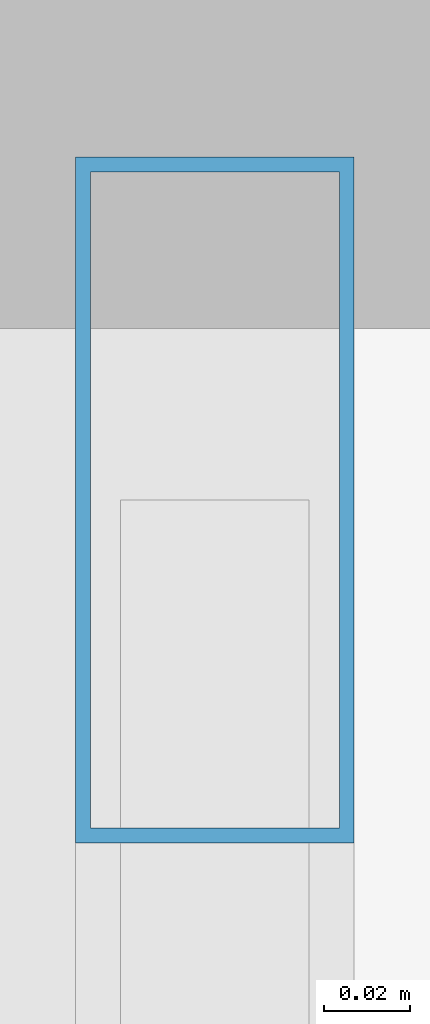
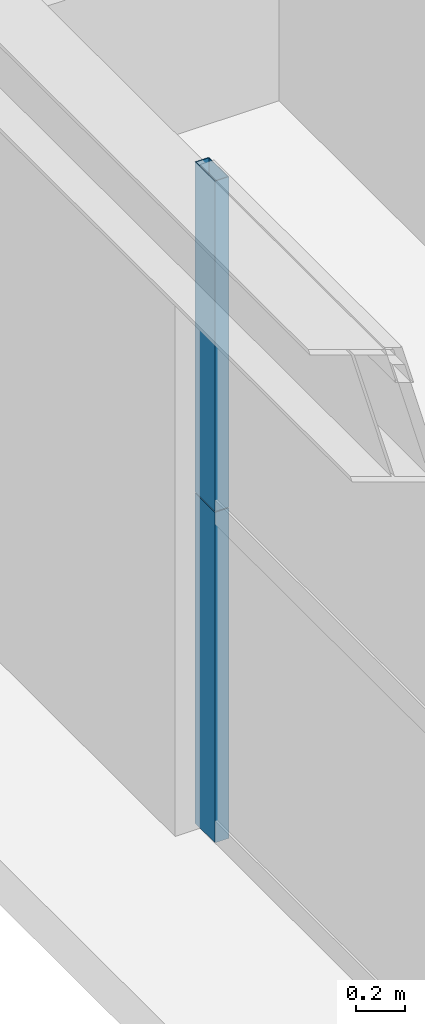
# One storey, part 20 of 34: 2 members, 1 element without a shape of its own.
"""IFC4 building model written with IfcOpenShell, lengths in metres."""

from ifc_helpers import new_model, si_unit, direction, frame, origin, origin_2d, place, context, subcontext, project, spatial, hollow_rectangle, extrude, source, transform, mapped, material, layer, layer_set, material_profile, profile_set, type_object, element, aggregate, save


model = new_model("IFC4")

# Units and contexts
model_context = context("Model", 3, precision=1e-05, world=origin(), true_north=direction((0.0, 1.0)))
body_context = subcontext(model_context, "Body", "Model", "MODEL_VIEW")
ifc_project = project(units=[si_unit("LENGTHUNIT", "METRE"), si_unit("AREAUNIT", "SQUARE_METRE"), si_unit("VOLUMEUNIT", "CUBIC_METRE"), si_unit("PLANEANGLEUNIT", "RADIAN"), si_unit("MASSUNIT", "GRAM", prefix="KILO"), si_unit("THERMODYNAMICTEMPERATUREUNIT", "KELVIN"), si_unit("POWERUNIT", "WATT")], contexts=[model_context])

# Site, building, storey
site_placement = place(None, origin())
site = spatial("IfcSite", under=ifc_project, at=site_placement, CompositionType="ELEMENT")
building_placement = place(site_placement, origin())
building = spatial("IfcBuilding", under=site, at=building_placement, Name="Yuzanri Waterfront Tower", CompositionType="ELEMENT")
storey_placement = place(building_placement, frame((0.0, 0.0, 241.60009765625)))
storey = spatial("IfcBuildingStorey", under=building, at=storey_placement, Name="L64", CompositionType="ELEMENT", Elevation=241.60009765625)

# Curtain wall, members
ifc_material_1 = material(Name="Anodized Architectural Bronze", Category="metal")
ifc_layer = layer(ifc_material_1, 0.159912109375)
ifc_layer_set = layer_set([ifc_layer], Name="Anodized Architectural Bronze")
curtain_wall_type = type_object("IfcCurtainWallType", Name="Anodized Bronze Mid-Rise Residential Acoustic Unitized Curtain Wall 7200", PredefinedType="NOTDEFINED", material=ifc_layer_set)
curtain_wall_placement = place(storey_placement, origin())
curtain_wall = element("IfcCurtainWall", 1, at=curtain_wall_placement, inside=storey, type_object=curtain_wall_type, Name="L64 Curtain Wall CW-L64-WR", PredefinedType="NOTDEFINED")
ifc_material_2 = material(Name="Anodized Architectural Bronze", Category="metal")
ifc_material_profile = material_profile(ifc_material_2, hollow_rectangle(XDim=0.06494140625, YDim=0.159912109375, WallThickness=0.00341796875, at=origin_2d()), Name="CWM 65x160")
ifc_profile_set = profile_set([ifc_material_profile], Name="Anodized Architectural Bronze")
member_type = type_object("IfcMemberType", Name="Anodized Bronze Upper-Zone Curtain-Wall Mullion 65x160", PredefinedType="MULLION", material=ifc_profile_set)
shared_shape = source(origin(), body_context, "Body", "SweptSolid", [
    extrude(hollow_rectangle(XDim=0.06494140625, YDim=0.159912109375, WallThickness=0.00341796875, at=origin_2d()), origin(), (0.0, 0.0, 1.0), 1.637939453125),
])
member_1_placement = place(storey_placement, frame((16.550048828125, 39.010009765625, 0.0), z_axis=(0.0, 0.0, 1.0), x_axis=(1.0, 0.0, 0.0)))
member_1 = element("IfcMember", 2, at=member_1_placement, type_object=member_type, Name="CW-L64-WR Lower Mullion 02", PredefinedType="MULLION", context=body_context, shape_type="MappedRepresentation", body=[
    mapped(shared_shape, transform((0.0, 0.0, 0.0), scale=1.0)),
])
member_2_placement = place(storey_placement, frame((16.550048828125, 39.010009765625, 1.641845703125), z_axis=(0.0, 0.0, 1.0), x_axis=(1.0, 0.0, 0.0)))
member_2 = element("IfcMember", 3, at=member_2_placement, type_object=member_type, Name="CW-L64-WR Upper Mullion 02", PredefinedType="MULLION", context=body_context, shape_type="MappedRepresentation", body=[
    mapped(shared_shape, transform((0.0, 0.0, 0.0), scale=1.0)),
])
aggregate(curtain_wall, [member_1, member_2])

save(model, "model.ifc")
